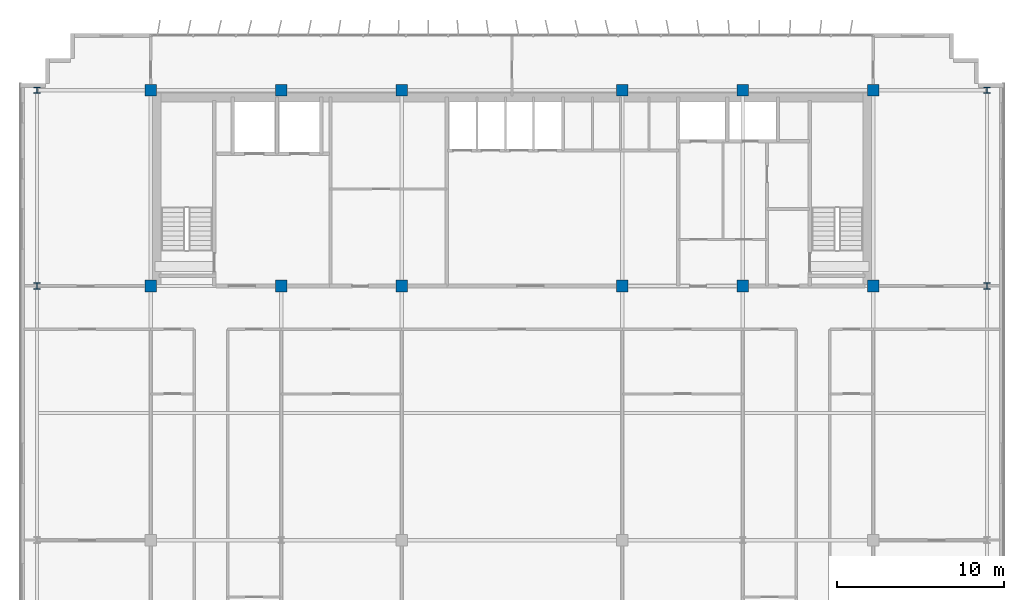
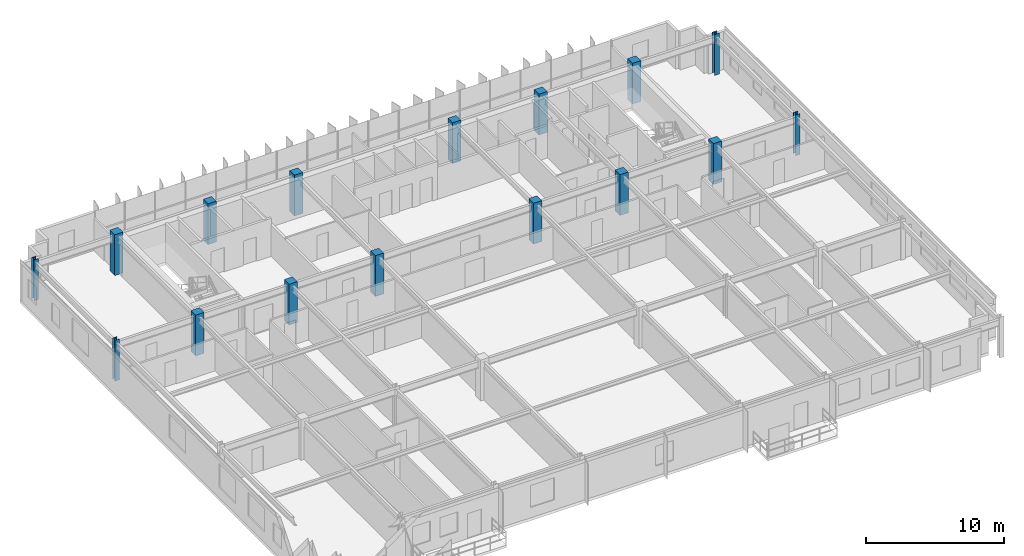
# One storey, part 2 of 20: 16 columns.
"""IFC4 building model written with IfcOpenShell, lengths in metres."""

from ifc_helpers import new_model, si_unit, direction, frame, origin, origin_2d, place, context, subcontext, project, spatial, rectangle, i_section, extrude, source, transform, mapped, material, material_profile, profile_set, type_object, element, save


model = new_model("IFC4")

# Units and contexts
model_context = context("Model", 3, precision=1e-05, world=origin(), true_north=direction((0.0, 1.0)))
body_context = subcontext(model_context, "Body", "Model", "MODEL_VIEW")
ifc_project = project(units=[si_unit("LENGTHUNIT", "METRE"), si_unit("AREAUNIT", "SQUARE_METRE"), si_unit("VOLUMEUNIT", "CUBIC_METRE"), si_unit("PLANEANGLEUNIT", "RADIAN"), si_unit("MASSUNIT", "GRAM", prefix="KILO")], contexts=[model_context])

# Site, building, storey
site_placement = place(None, origin())
site = spatial("IfcSite", under=ifc_project, at=site_placement, CompositionType="ELEMENT")
building_placement = place(site_placement, origin())
building = spatial("IfcBuilding", under=site, at=building_placement, Name="Trelvane Seafront Commons", CompositionType="ELEMENT")
storey_placement = place(building_placement, frame((0.0, 0.0, 142.89990234375)))
storey = spatial("IfcBuildingStorey", under=building, at=storey_placement, Name="L37", CompositionType="ELEMENT", Elevation=142.89990234375)

# Columns
ifc_material_1 = material(Name="Steel SM355 (S355)", Category="steel")
ifc_material_profile_1 = material_profile(ifc_material_1, i_section(OverallWidth=0.3798828125, OverallDepth=0.3798828125, WebThickness=0.02001953125, FlangeThickness=0.030029296875, at=origin_2d()), Name="HD-380x380x20x30")
ifc_profile_set_1 = profile_set([ifc_material_profile_1], Name="Steel SM355 (S355)")
column_type_1 = type_object("IfcColumnType", Name="STR-COL-HD380", PredefinedType="COLUMN", material=ifc_profile_set_1)
shared_shape_1 = source(origin(), body_context, "Body", "SweptSolid", [
    extrude(i_section(OverallWidth=0.3798828125, OverallDepth=0.3798828125, WebThickness=0.02001953125, FlangeThickness=0.030029296875, at=origin_2d()), origin(), (0.0, 0.0, 1.0), 3.60009765625),
])
for number, where, z_axis, x_axis, name in (
    (1, (8.800048828125, 33.39990234375, 0.0), (0.0, 0.0, 1.0), (1.0, 0.0, 0.0), "L37 Column TC-CS8.8"),
    (2, (8.800048828125, 45.10009765625, 0.0), (0.0, 0.0, 1.0), (1.0, 0.0, 0.0), "L37 Column TC-CN8.8"),
    (3, (65.60009765625, 33.39990234375, 0.0), (0.0, 0.0, 1.0), (1.0, 0.0, 0.0), "L37 Column TC-CS65.6"),
    (4, (65.60009765625, 45.10009765625, 0.0), (0.0, 0.0, 1.0), (1.0, 0.0, 0.0), "L37 Column TC-CN65.6"),
):
    element("IfcColumn", number, at=place(storey_placement, frame(where, z_axis=z_axis, x_axis=x_axis)), inside=storey, type_object=column_type_1, Name=name, PredefinedType="COLUMN", context=body_context, shape_type="MappedRepresentation", body=[
        mapped(shared_shape_1, transform((0.0, 0.0, 0.0), x_axis=(1.0, 0.0, 0.0), y_axis=(0.0, 1.0, 0.0), z_axis=(0.0, 0.0, 1.0), scale=1.0)),
    ])
ifc_material_2 = material(Name="Concrete C50/60", Category="concrete")
ifc_material_profile_2 = material_profile(ifc_material_2, rectangle(XDim=0.699951171875, YDim=0.699951171875, at=origin_2d()), Name="RC-700x700")
ifc_profile_set_2 = profile_set([ifc_material_profile_2], Name="Concrete C50/60")
column_type_2 = type_object("IfcColumnType", Name="STR-COL-RC700", PredefinedType="COLUMN", material=ifc_profile_set_2)
shared_shape_2 = source(origin(), body_context, "Body", "SweptSolid", [
    extrude(rectangle(XDim=0.699951171875, YDim=0.699951171875, at=origin_2d()), origin(), (0.0, 0.0, 1.0), 3.60009765625),
])
for number, where, z_axis, x_axis, name in (
    (5, (15.60009765625, 33.39990234375, 0.0), (0.0, 0.0, 1.0), (1.0, 0.0, 0.0), "L37 Column TC-CS15.6"),
    (6, (15.60009765625, 45.10009765625, 0.0), (0.0, 0.0, 1.0), (1.0, 0.0, 0.0), "L37 Column TC-CN15.6"),
    (7, (23.39990234375, 33.39990234375, 0.0), (0.0, 0.0, 1.0), (1.0, 0.0, 0.0), "L37 Column TC-CS23.4"),
    (8, (23.39990234375, 45.10009765625, 0.0), (0.0, 0.0, 1.0), (1.0, 0.0, 0.0), "L37 Column TC-CN23.4"),
    (9, (30.60009765625, 33.39990234375, 0.0), (0.0, 0.0, 1.0), (1.0, 0.0, 0.0), "L37 Column TC-CS30.6"),
    (10, (30.60009765625, 45.10009765625, 0.0), (0.0, 0.0, 1.0), (1.0, 0.0, 0.0), "L37 Column TC-CN30.6"),
    (11, (43.800048828125, 33.39990234375, 0.0), (0.0, 0.0, 1.0), (1.0, 0.0, 0.0), "L37 Column TC-CS43.8"),
    (12, (43.800048828125, 45.10009765625, 0.0), (0.0, 0.0, 1.0), (1.0, 0.0, 0.0), "L37 Column TC-CN43.8"),
    (13, (51.0, 33.39990234375, 0.0), (0.0, 0.0, 1.0), (1.0, 0.0, 0.0), "L37 Column TC-CS51.0"),
    (14, (51.0, 45.10009765625, 0.0), (0.0, 0.0, 1.0), (1.0, 0.0, 0.0), "L37 Column TC-CN51.0"),
    (15, (58.800048828125, 33.39990234375, 0.0), (0.0, 0.0, 1.0), (1.0, 0.0, 0.0), "L37 Column TC-CS58.8"),
    (16, (58.800048828125, 45.10009765625, 0.0), (0.0, 0.0, 1.0), (1.0, 0.0, 0.0), "L37 Column TC-CN58.8"),
):
    element("IfcColumn", number, at=place(storey_placement, frame(where, z_axis=z_axis, x_axis=x_axis)), inside=storey, type_object=column_type_2, Name=name, PredefinedType="COLUMN", context=body_context, shape_type="MappedRepresentation", body=[
        mapped(shared_shape_2, transform((0.0, 0.0, 0.0), x_axis=(1.0, 0.0, 0.0), y_axis=(0.0, 1.0, 0.0), z_axis=(0.0, 0.0, 1.0), scale=1.0)),
    ])

save(model, "model.ifc")
